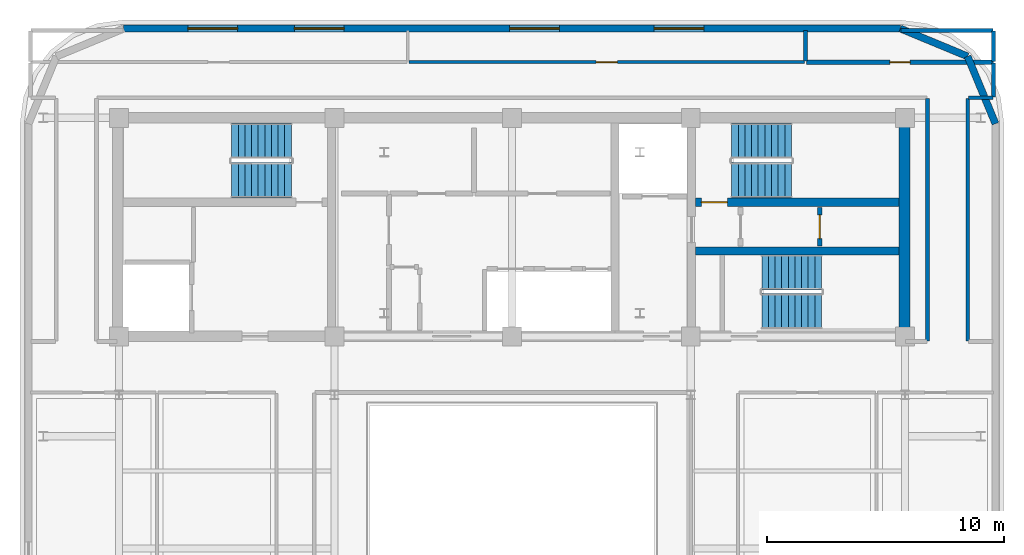
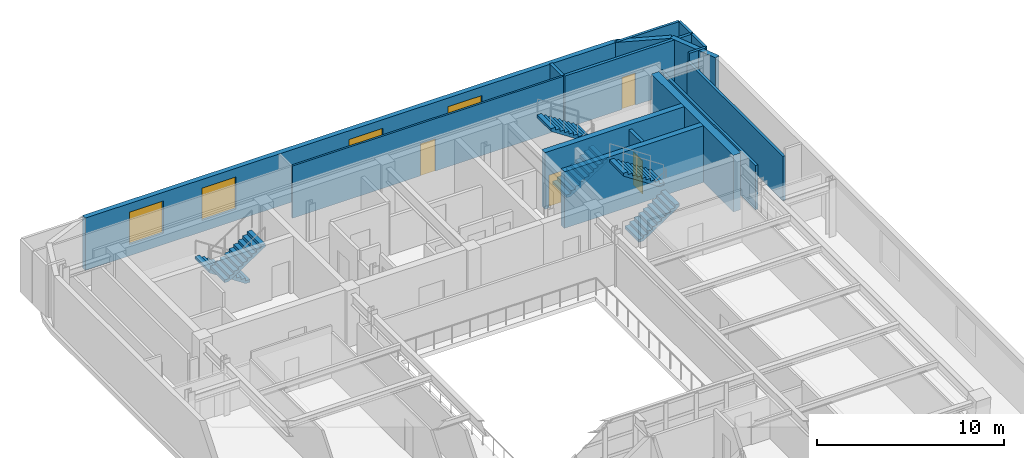
# One storey, part 8 of 11: 16 walls, 6 stair flights, 4 doors, 4 windows, 8 openings, 3 elements without a shape of their own.
"""IFC4 building model written with IfcOpenShell, lengths in metres."""

from ifc_helpers import new_model, si_unit, direction, frame, frame_2d, origin, place, context, subcontext, project, spatial, polyline, rectangle, outline, extrude, material, layer, layer_set, type_object, element, fill, aggregate, save


model = new_model("IFC4")

# Units and contexts
model_context = context("Model", 3, precision=1e-05, world=origin(), true_north=direction((0.0, 1.0)))
body_context = subcontext(model_context, "Body", "Model", "MODEL_VIEW")
ifc_project = project(units=[si_unit("LENGTHUNIT", "METRE"), si_unit("AREAUNIT", "SQUARE_METRE"), si_unit("VOLUMEUNIT", "CUBIC_METRE"), si_unit("PLANEANGLEUNIT", "RADIAN"), si_unit("MASSUNIT", "GRAM", prefix="KILO")], contexts=[model_context])

# Site, building, storey
site_placement = place(None, origin())
site = spatial("IfcSite", under=ifc_project, at=site_placement, CompositionType="ELEMENT")
building_placement = place(site_placement, origin())
building = spatial("IfcBuilding", under=site, at=building_placement, Name="Zarnavel Station Tower", CompositionType="ELEMENT")
storey_placement = place(building_placement, frame((0.0, 0.0, 262.10009765625)))
storey = spatial("IfcBuildingStorey", under=building, at=storey_placement, Name="L71", CompositionType="ELEMENT", Elevation=262.10009765625)

# Wall, opening, door
ifc_material_1 = material(Name="Concrete C50/60", Category="concrete")
ifc_layer_1 = layer(ifc_material_1, 0.35009765625)
ifc_layer_set_1 = layer_set([ifc_layer_1], Name="CW_350")
wall_type_1 = type_object("IfcWallType", Name="CW_350", PredefinedType="SHEAR", material=ifc_layer_set_1)
wall_1_placement = place(storey_placement, frame((45.155029296875, 33.47998046875, 0.0), z_axis=(0.0, 0.0, 1.0), x_axis=(-1.0, 0.0, 0.0)))
wall_1 = element("IfcWall", 1, at=wall_1_placement, inside=storey, type_object=wall_type_1, Name="L71 Rear Core Shear Wall DIV-H2", PredefinedType="SHEAR", context=body_context, shape_type="SweptSolid", body=[
    extrude(rectangle(XDim=8.60009765625, YDim=0.35009765625, at=frame_2d((4.300048828125, 0.0))), origin(), (0.0, 0.0, 1.0), 3.699951171875),
])
opening_1_placement = place(wall_1_placement, frame((7.2548828125, 0.0, 0.0)))
opening_1 = element("IfcOpeningElement", 2, at=opening_1_placement, cuts=wall_1, Name="Opening FD01", PredefinedType="OPENING", context=body_context, shape_type="SweptSolid", body=[
    extrude(rectangle(XDim=1.10009765625, YDim=2.14990234375, at=frame_2d((0.550048828125, 1.074951171875))), frame((0.0, 0.18505859375, 0.0), z_axis=(0.0, -1.0, 0.0), x_axis=(1.0, 0.0, 0.0)), (0.0, 0.0, 1.0), 0.3701171875),
])
ifc_material_2 = material(Name="Painted Galvanised Steel and Hardwood Leaf", Category="steel")
door_type_1 = type_object("IfcDoorType", Name="ID_STAIR_1100", OperationType="NOTDEFINED", PredefinedType="DOOR", material=ifc_material_2)
door_1_placement = place(opening_1_placement, origin())
door_1 = element("IfcDoor", 3, at=door_1_placement, inside=storey, type_object=door_type_1, Name="L71 Stair ST2 Lobby Fire Door", OperationType="SINGLE_SWING_RIGHT", OverallHeight=2.14990234375, OverallWidth=1.10009765625, PredefinedType="DOOR", context=body_context, shape_type="SweptSolid", body=[
    extrude(rectangle(XDim=1.10009765625, YDim=2.14990234375, at=frame_2d((0.550048828125, 1.074951171875))), frame((0.0, 0.02490234375, 0.0), z_axis=(0.0, -1.0, 0.0), x_axis=(1.0, 0.0, 0.0)), (0.0, 0.0, 1.0), 0.050048828125),
])
fill(opening_1, door_1)

# Walls
wall_2_placement = place(storey_placement, frame((36.554931640625, 31.419921875, 0.0), z_axis=(0.0, 0.0, 1.0), x_axis=(1.0, 0.0, 0.0)))
element("IfcWall", 4, at=wall_2_placement, inside=storey, type_object=wall_type_1, Name="L71 Rear Core Shear Wall DIV-H3", PredefinedType="SHEAR", context=body_context, shape_type="SweptSolid", body=[
    extrude(rectangle(XDim=8.60009765625, YDim=0.35009765625, at=frame_2d((4.300048828125, 0.0))), origin(), (0.0, 0.0, 1.0), 3.699951171875),
])
ifc_material_3 = material(Name="Concrete C50/60", Category="concrete")
ifc_layer_2 = layer(ifc_material_3, 0.449951171875)
ifc_layer_set_2 = layer_set([ifc_layer_2], Name="CW_450")
wall_type_2 = type_object("IfcWallType", Name="CW_450", PredefinedType="SHEAR", material=ifc_layer_set_2)
wall_3_placement = place(storey_placement, frame((45.3798828125, 28.044921875, 0.0), z_axis=(0.0, 0.0, 1.0), x_axis=(0.0, 1.0, 0.0)))
element("IfcWall", 5, at=wall_3_placement, inside=storey, type_object=wall_type_2, Name="L71 Rear Core Shear Wall E", PredefinedType="SHEAR", context=body_context, shape_type="SweptSolid", body=[
    extrude(rectangle(XDim=8.780029296875, YDim=0.449951171875, at=frame_2d((4.39013671875, 0.0))), origin(), (0.0, 0.0, 1.0), 3.699951171875),
])
ifc_material_4 = material(Name="Precast concrete C45/55 (Dark Basalt Finish)", Category="masonry")
ifc_layer_3 = layer(ifc_material_4, 0.300048828125)
ifc_layer_set_3 = layer_set([ifc_layer_3], Name="EW_BASALT_300")
wall_type_3 = type_object("IfcWallType", Name="EW_BASALT_300", PredefinedType="SOLIDWALL", material=ifc_layer_set_3)
for number, where, z_axis, x_axis, name in (
    (6, (48.04248046875, 39.642578125, 0.0), (0.0, 0.0, 1.0), (0.382704529509, -0.923870793506, 0.0), "L71 Exterior Basalt Masonry Frame Wall 04"),
    (7, (45.199951171875, 40.820068359375, 0.0), (0.0, 0.0, 1.0), (0.923870793506, -0.382704529509, 0.0), "L71 Exterior Basalt Masonry Frame Wall 05"),
):
    element("IfcWall", number, at=place(storey_placement, frame(where, z_axis=z_axis, x_axis=x_axis)), inside=storey, type_object=wall_type_3, Name=name, PredefinedType="SOLIDWALL", context=body_context, shape_type="SweptSolid", body=[
        extrude(rectangle(XDim=3.07666015625, YDim=0.300048828125, at=frame_2d((1.538330078125, 0.0))), origin(), (0.0, 0.0, 1.0), 3.419921875),
    ])

# Wall, openings, windows
wall_4_placement = place(storey_placement, frame((12.39990234375, 40.820068359375, 0.0), z_axis=(0.0, 0.0, 1.0), x_axis=(1.0, 0.0, 0.0)))
wall_4 = element("IfcWall", 8, at=wall_4_placement, inside=storey, type_object=wall_type_3, Name="L71 Exterior Basalt Masonry Frame Wall 06", PredefinedType="SOLIDWALL", context=body_context, shape_type="SweptSolid", body=[
    extrude(rectangle(XDim=32.800048828125, YDim=0.300048828125, at=frame_2d((16.39990234375, 0.0))), origin(), (0.0, 0.0, 1.0), 3.419921875),
])
opening_2_placement = place(wall_4_placement, frame((2.71337890625, 0.0, 0.75)))
opening_2 = element("IfcOpeningElement", 9, at=opening_2_placement, cuts=wall_4, Name="Opening WN05", PredefinedType="OPENING", context=body_context, shape_type="SweptSolid", body=[
    extrude(rectangle(XDim=2.10009765625, YDim=2.10009765625, at=frame_2d((1.050048828125, 1.050048828125))), frame((0.0, 0.159912109375, 0.0), z_axis=(0.0, -1.0, 0.0), x_axis=(1.0, 0.0, 0.0)), (0.0, 0.0, 1.0), 0.320068359375),
])
opening_3_placement = place(wall_4_placement, frame((7.206787109375, 0.0, 0.75)))
opening_3 = element("IfcOpeningElement", 10, at=opening_3_placement, cuts=wall_4, Name="Opening WN05", PredefinedType="OPENING", context=body_context, shape_type="SweptSolid", body=[
    extrude(rectangle(XDim=2.10009765625, YDim=2.10009765625, at=frame_2d((1.050048828125, 1.050048828125))), frame((0.0, 0.159912109375, 0.0), z_axis=(0.0, -1.0, 0.0), x_axis=(1.0, 0.0, 0.0)), (0.0, 0.0, 1.0), 0.320068359375),
])
opening_4_placement = place(wall_4_placement, frame((16.300048828125, 0.0, 0.75)))
opening_4 = element("IfcOpeningElement", 11, at=opening_4_placement, cuts=wall_4, Name="Opening WN05", PredefinedType="OPENING", context=body_context, shape_type="SweptSolid", body=[
    extrude(rectangle(XDim=2.10009765625, YDim=2.10009765625, at=frame_2d((1.050048828125, 1.050048828125))), frame((0.0, 0.159912109375, 0.0), z_axis=(0.0, -1.0, 0.0), x_axis=(1.0, 0.0, 0.0)), (0.0, 0.0, 1.0), 0.320068359375),
])
opening_5_placement = place(wall_4_placement, frame((22.39990234375, 0.0, 0.75)))
opening_5 = element("IfcOpeningElement", 12, at=opening_5_placement, cuts=wall_4, Name="Opening WN05", PredefinedType="OPENING", context=body_context, shape_type="SweptSolid", body=[
    extrude(rectangle(XDim=2.10009765625, YDim=2.10009765625, at=frame_2d((1.050048828125, 1.050048828125))), frame((0.0, 0.159912109375, 0.0), z_axis=(0.0, -1.0, 0.0), x_axis=(1.0, 0.0, 0.0)), (0.0, 0.0, 1.0), 0.320068359375),
])
ifc_material_5 = material(Name="Thermally Broken Black Aluminium and Low-E Dark Glass", Category="aluminium")
window_type = type_object("IfcWindowType", Name="WN_2100x2100", PartitioningType="TRIPLE_PANEL_VERTICAL", PredefinedType="WINDOW", material=ifc_material_5)
window_1_placement = place(opening_2_placement, origin())
window_1 = element("IfcWindow", 13, at=window_1_placement, inside=storey, type_object=window_type, Name="L71 Recessed Facade Window 01", OverallHeight=2.10009765625, OverallWidth=2.10009765625, PartitioningType="SINGLE_PANEL", PredefinedType="WINDOW", context=body_context, shape_type="SweptSolid", body=[
    extrude(rectangle(XDim=2.10009765625, YDim=2.10009765625, at=frame_2d((1.050048828125, 1.050048828125))), frame((0.0, 0.030029296875, 0.0), z_axis=(0.0, -1.0, 0.0), x_axis=(1.0, 0.0, 0.0)), (0.0, 0.0, 1.0), 0.06005859375),
])
fill(opening_2, window_1)
window_2_placement = place(opening_3_placement, origin())
window_2 = element("IfcWindow", 14, at=window_2_placement, inside=storey, type_object=window_type, Name="L71 Recessed Facade Window 02", OverallHeight=2.10009765625, OverallWidth=2.10009765625, PartitioningType="SINGLE_PANEL", PredefinedType="WINDOW", context=body_context, shape_type="SweptSolid", body=[
    extrude(rectangle(XDim=2.10009765625, YDim=2.10009765625, at=frame_2d((1.050048828125, 1.050048828125))), frame((0.0, 0.030029296875, 0.0), z_axis=(0.0, -1.0, 0.0), x_axis=(1.0, 0.0, 0.0)), (0.0, 0.0, 1.0), 0.06005859375),
])
fill(opening_3, window_2)
window_3_placement = place(opening_4_placement, origin())
window_3 = element("IfcWindow", 15, at=window_3_placement, inside=storey, type_object=window_type, Name="L71 Recessed Facade Window 03", OverallHeight=2.10009765625, OverallWidth=2.10009765625, PartitioningType="SINGLE_PANEL", PredefinedType="WINDOW", context=body_context, shape_type="SweptSolid", body=[
    extrude(rectangle(XDim=2.10009765625, YDim=2.10009765625, at=frame_2d((1.050048828125, 1.050048828125))), frame((0.0, 0.030029296875, 0.0), z_axis=(0.0, -1.0, 0.0), x_axis=(1.0, 0.0, 0.0)), (0.0, 0.0, 1.0), 0.06005859375),
])
fill(opening_4, window_3)
window_4_placement = place(opening_5_placement, origin())
window_4 = element("IfcWindow", 16, at=window_4_placement, inside=storey, type_object=window_type, Name="L71 Recessed Facade Window 04", OverallHeight=2.10009765625, OverallWidth=2.10009765625, PartitioningType="SINGLE_PANEL", PredefinedType="WINDOW", context=body_context, shape_type="SweptSolid", body=[
    extrude(rectangle(XDim=2.10009765625, YDim=2.10009765625, at=frame_2d((1.050048828125, 1.050048828125))), frame((0.0, 0.030029296875, 0.0), z_axis=(0.0, -1.0, 0.0), x_axis=(1.0, 0.0, 0.0)), (0.0, 0.0, 1.0), 0.06005859375),
])
fill(opening_5, window_4)

# Walls
ifc_material_6 = material(Name="Gypsum Twin-Stud Acoustic Fire Partition", Category="concrete")
ifc_layer_4 = layer(ifc_material_6, 0.159912109375)
ifc_layer_set_4 = layer_set([ifc_layer_4], Name="PT_DEMISE_160")
wall_type_4 = type_object("IfcWallType", Name="PT_DEMISE_160", PredefinedType="PARTITIONING", material=ifc_layer_set_4)
for number, where, z_axis, x_axis, name in (
    (17, (46.35009765625, 27.6298828125, 0.0), (0.0, 0.0, 1.0), (0.0, 1.0, 0.0), "L71 Enclosure Wall COR-E"),
    (18, (48.050048828125, 27.6298828125, 0.0), (0.0, 0.0, 1.0), (0.0, 1.0, 0.0), "L71 Enclosure Wall COR-E"),
):
    element("IfcWall", number, at=place(storey_placement, frame(where, z_axis=z_axis, x_axis=x_axis)), inside=storey, type_object=wall_type_4, Name=name, PredefinedType="PARTITIONING", context=body_context, shape_type="SweptSolid", body=[
        extrude(rectangle(XDim=10.240234375, YDim=0.159912109375, at=frame_2d((5.1201171875, 0.0))), origin(), (0.0, 0.0, 1.0), 2.89990234375),
    ])
wall_5_placement = place(storey_placement, frame((48.080078125, 37.89990234375, 0.0), z_axis=(0.0, 0.0, 1.0), x_axis=(1.0, 0.0, 0.0)))
element("IfcWall", 19, at=wall_5_placement, inside=storey, type_object=wall_type_4, Name="L71 Enclosure Wall COR-N", PredefinedType="PARTITIONING", context=body_context, shape_type="SweptSolid", body=[
    extrude(rectangle(XDim=1.030029296875, YDim=0.159912109375, at=frame_2d((0.51513671875, 0.0))), origin(), (0.0, 0.0, 1.0), 3.419921875),
])
wall_6_placement = place(storey_placement, frame((49.139892578125, 37.929931640625, 0.0), z_axis=(0.0, 0.0, 1.0), x_axis=(0.0, 1.0, 0.0)))
element("IfcWall", 20, at=wall_6_placement, inside=storey, type_object=wall_type_4, Name="L71 Enclosure Wall COR-N", PredefinedType="PARTITIONING", context=body_context, shape_type="SweptSolid", body=[
    extrude(rectangle(XDim=1.440185546875, YDim=0.159912109375, at=frame_2d((0.72021484375, 0.0))), origin(), (0.0, 0.0, 1.0), 3.419921875),
])
wall_7_placement = place(storey_placement, frame((45.22998046875, 40.739990234375, 0.0), z_axis=(0.0, 0.0, 1.0), x_axis=(1.0, 0.0, 0.0)))
element("IfcWall", 21, at=wall_7_placement, inside=storey, type_object=wall_type_4, Name="L71 Enclosure Wall NWC", PredefinedType="PARTITIONING", context=body_context, shape_type="SweptSolid", body=[
    extrude(rectangle(XDim=3.880126953125, YDim=0.159912109375, at=frame_2d((1.93994140625, 0.0))), origin(), (0.0, 0.0, 1.0), 3.419921875),
])
wall_8_placement = place(storey_placement, frame((49.139892578125, 39.429931640625, 0.0), z_axis=(0.0, 0.0, 1.0), x_axis=(0.0, 1.0, 0.0)))
element("IfcWall", 22, at=wall_8_placement, inside=storey, type_object=wall_type_4, Name="L71 Enclosure Wall NWC", PredefinedType="PARTITIONING", context=body_context, shape_type="SweptSolid", body=[
    extrude(rectangle(XDim=1.280029296875, YDim=0.159912109375, at=frame_2d((0.64013671875, 0.0))), origin(), (0.0, 0.0, 1.0), 3.419921875),
])

# Wall, opening, door
ifc_material_7 = material(Name="Gypsum Metal-Stud Interior Partition", Category="concrete")
ifc_layer_5 = layer(ifc_material_7, 0.1201171875)
ifc_layer_set_5 = layer_set([ifc_layer_5], Name="PT_ROOM_120")
wall_type_5 = type_object("IfcWallType", Name="PT_ROOM_120", PredefinedType="PARTITIONING", material=ifc_layer_set_5)
wall_9_placement = place(storey_placement, frame((24.43994140625, 39.39990234375, 0.0), z_axis=(0.0, 0.0, 1.0), x_axis=(1.0, 0.0, 0.0)))
wall_9 = element("IfcWall", 23, at=wall_9_placement, inside=storey, type_object=wall_type_5, Name="L71 Partition COR-N-NSPA", PredefinedType="PARTITIONING", context=body_context, shape_type="SweptSolid", body=[
    extrude(rectangle(XDim=16.719970703125, YDim=0.1201171875, at=frame_2d((8.35986328125, 0.0))), origin(), (0.0, 0.0, 1.0), 3.419921875),
])
opening_6_placement = place(wall_9_placement, frame((7.909912109375, 0.0, 0.0)))
opening_6 = element("IfcOpeningElement", 24, at=opening_6_placement, cuts=wall_9, Name="Opening ID01", PredefinedType="OPENING", context=body_context, shape_type="SweptSolid", body=[
    extrude(rectangle(XDim=0.89990234375, YDim=2.10009765625, at=frame_2d((0.449951171875, 1.050048828125))), frame((0.0, 0.070068359375, 0.0), z_axis=(0.0, -1.0, 0.0), x_axis=(1.0, 0.0, 0.0)), (0.0, 0.0, 1.0), 0.14013671875),
])
ifc_material_8 = material(Name="Painted Galvanised Steel and Hardwood Leaf", Category="steel")
door_type_2 = type_object("IfcDoorType", Name="ID_ROOM_900", OperationType="NOTDEFINED", PredefinedType="DOOR", material=ifc_material_8)
door_2_placement = place(opening_6_placement, origin())
door_2 = element("IfcDoor", 25, at=door_2_placement, inside=storey, type_object=door_type_2, Name="L71 Door COR-N-NSPA", OperationType="SINGLE_SWING_RIGHT", OverallHeight=2.10009765625, OverallWidth=0.89990234375, PredefinedType="DOOR", context=body_context, shape_type="SweptSolid", body=[
    extrude(rectangle(XDim=0.89990234375, YDim=2.10009765625, at=frame_2d((0.449951171875, 1.050048828125))), frame((0.0, 0.02490234375, 0.0), z_axis=(0.0, -1.0, 0.0), x_axis=(1.0, 0.0, 0.0)), (0.0, 0.0, 1.0), 0.050048828125),
])
fill(opening_6, door_2)

ifc_material_9 = material(Name="Precast concrete C45/55 (Fire Shaft Blockwork)", Category="masonry")
ifc_layer_6 = layer(ifc_material_9, 0.199951171875)
ifc_layer_set_6 = layer_set([ifc_layer_6], Name="PT_SHAFT_200")
wall_type_6 = type_object("IfcWallType", Name="PT_SHAFT_200", PredefinedType="PARTITIONING", material=ifc_layer_set_6)
wall_10_placement = place(storey_placement, frame((41.800048828125, 31.639892578125, 0.0), z_axis=(0.0, 0.0, 1.0), x_axis=(0.0, 1.0, 0.0)))
wall_10 = element("IfcWall", 26, at=wall_10_placement, inside=storey, type_object=wall_type_6, Name="L71 Partition CEA-CEB", PredefinedType="PARTITIONING", context=body_context, shape_type="SweptSolid", body=[
    extrude(rectangle(XDim=1.6201171875, YDim=0.199951171875, at=frame_2d((0.81005859375, 0.0))), origin(), (0.0, 0.0, 1.0), 3.419921875),
])
opening_7_placement = place(wall_10_placement, frame((0.31005859375, 0.0, 0.0)))
opening_7 = element("IfcOpeningElement", 27, at=opening_7_placement, cuts=wall_10, Name="Opening FD02", PredefinedType="OPENING", context=body_context, shape_type="SweptSolid", body=[
    extrude(rectangle(XDim=1.0, YDim=2.14990234375, at=frame_2d((0.5, 1.074951171875))), frame((0.0, 0.10986328125, 0.0), z_axis=(0.0, -1.0, 0.0), x_axis=(1.0, 0.0, 0.0)), (0.0, 0.0, 1.0), 0.219970703125),
])
ifc_material_10 = material(Name="Painted Galvanised Steel and Hardwood Leaf", Category="steel")
door_type_3 = type_object("IfcDoorType", Name="ID_ENTRY_1000", OperationType="NOTDEFINED", PredefinedType="DOOR", material=ifc_material_10)
door_3_placement = place(opening_7_placement, origin())
door_3 = element("IfcDoor", 28, at=door_3_placement, inside=storey, type_object=door_type_3, Name="L71 Door CEA-CEB", OperationType="SINGLE_SWING_LEFT", OverallHeight=2.14990234375, OverallWidth=1.0, PredefinedType="DOOR", context=body_context, shape_type="SweptSolid", body=[
    extrude(rectangle(XDim=1.0, YDim=2.14990234375, at=frame_2d((0.5, 1.074951171875))), frame((0.0, 0.02490234375, 0.0), z_axis=(0.0, -1.0, 0.0), x_axis=(1.0, 0.0, 0.0)), (0.0, 0.0, 1.0), 0.050048828125),
])
fill(opening_7, door_3)

ifc_material_11 = material(Name="Moisture-Resistant Plumbing Chase Wall", Category="concrete")
ifc_layer_7 = layer(ifc_material_11, 0.179931640625)
ifc_layer_set_7 = layer_set([ifc_layer_7], Name="PW_PLUMB_180")
wall_type_7 = type_object("IfcWallType", Name="PW_PLUMB_180", PredefinedType="PLUMBINGWALL", material=ifc_layer_set_7)
wall_11_placement = place(storey_placement, frame((41.239990234375, 39.39990234375, 0.0), z_axis=(0.0, 0.0, 1.0), x_axis=(1.0, 0.0, 0.0)))
wall_11 = element("IfcWall", 29, at=wall_11_placement, inside=storey, type_object=wall_type_7, Name="L71 Partition COR-N-NWC", PredefinedType="PLUMBINGWALL", context=body_context, shape_type="SweptSolid", body=[
    extrude(rectangle(XDim=7.89990234375, YDim=0.179931640625, at=frame_2d((3.949951171875, 0.0))), origin(), (0.0, 0.0, 1.0), 3.419921875),
])
opening_8_placement = place(wall_11_placement, frame((3.52490234375, 0.0, 0.0)))
opening_8 = element("IfcOpeningElement", 30, at=opening_8_placement, cuts=wall_11, Name="Opening ID02", PredefinedType="OPENING", context=body_context, shape_type="SweptSolid", body=[
    extrude(rectangle(XDim=0.85009765625, YDim=2.10009765625, at=frame_2d((0.425048828125, 1.050048828125))), frame((0.0, 0.099853515625, 0.0), z_axis=(0.0, -1.0, 0.0), x_axis=(1.0, 0.0, 0.0)), (0.0, 0.0, 1.0), 0.199951171875),
])
ifc_material_12 = material(Name="Painted Galvanised Steel and Hardwood Leaf", Category="steel")
door_type_4 = type_object("IfcDoorType", Name="ID_BATH_850", OperationType="NOTDEFINED", PredefinedType="DOOR", material=ifc_material_12)
door_4_placement = place(opening_8_placement, origin())
door_4 = element("IfcDoor", 31, at=door_4_placement, inside=storey, type_object=door_type_4, Name="L71 Door COR-N-NWC", OperationType="SINGLE_SWING_LEFT", OverallHeight=2.10009765625, OverallWidth=0.85009765625, PredefinedType="DOOR", context=body_context, shape_type="SweptSolid", body=[
    extrude(rectangle(XDim=0.85009765625, YDim=2.10009765625, at=frame_2d((0.425048828125, 1.050048828125))), frame((0.0, 0.02490234375, 0.0), z_axis=(0.0, -1.0, 0.0), x_axis=(1.0, 0.0, 0.0)), (0.0, 0.0, 1.0), 0.050048828125),
])
fill(opening_8, door_4)

# Wall
wall_12_placement = place(storey_placement, frame((41.199951171875, 39.43994140625, 0.0), z_axis=(0.0, 0.0, 1.0), x_axis=(0.0, 1.0, 0.0)))
element("IfcWall", 32, at=wall_12_placement, inside=storey, type_object=wall_type_7, Name="L71 Partition NSPA-NWC", PredefinedType="PLUMBINGWALL", context=body_context, shape_type="SweptSolid", body=[
    extrude(rectangle(XDim=1.300048828125, YDim=0.179931640625, at=frame_2d((0.64990234375, 0.0))), origin(), (0.0, 0.0, 1.0), 3.419921875),
])

# Stair, stair flights
ifc_material_13 = material(Name="Concrete C45/55", Category="concrete")
stair_type = type_object("IfcStairType", Name="ST_CORE_150", PredefinedType="HALF_TURN_STAIR", material=ifc_material_13)
stair_1_placement = place(storey_placement, origin())
stair_1 = element("IfcStair", 33, at=stair_1_placement, inside=storey, type_object=stair_type, Name="L71 Core Exit Stair ST1", PredefinedType="HALF_TURN_STAIR")
ifc_material_14 = material(Name="Concrete C45/55", Category="concrete")
ifc_layer_8 = layer(ifc_material_14, 0.179931640625)
ifc_layer_set_8 = layer_set([ifc_layer_8], Name="ST_CORE_150_FLT")
stair_flight_type = type_object("IfcStairFlightType", Name="ST_CORE_150_FLT", PredefinedType="STRAIGHT", material=ifc_layer_set_8)
stair_flight_1_placement = place(storey_placement, frame((19.47998046875, 36.070068359375, 0.0), z_axis=(0.0, 0.0, 1.0), x_axis=(-1.0, 0.0, 0.0)))
stair_flight_1 = element("IfcStairFlight", 34, at=stair_flight_1_placement, type_object=stair_flight_type, Name="ST1 flight 1", NumberOfRisers=10, NumberOfTreads=9, PredefinedType="STRAIGHT", RiserHeight=0.185, TreadLength=0.28, context=body_context, shape_type="SweptSolid", body=[
    extrude(outline(polyline([(0.0, 0.0), (0.0, 0.18505859375), (0.280029296875, 0.18505859375), (0.280029296875, 0.3701171875), (0.56005859375, 0.3701171875), (0.56005859375, 0.554931640625), (0.840087890625, 0.554931640625), (0.840087890625, 0.739990234375), (1.1201171875, 0.739990234375), (1.1201171875, 0.925048828125), (1.39990234375, 0.925048828125), (1.39990234375, 1.110107421875), (1.679931640625, 1.110107421875), (1.679931640625, 1.294921875), (1.9599609375, 1.294921875), (1.9599609375, 1.47998046875), (2.239990234375, 1.47998046875), (2.239990234375, 1.6650390625), (2.52001953125, 1.6650390625), (2.52001953125, 1.85009765625), (2.52001953125, 1.4853515625), (0.27197265625, 0.0), (0.0, 0.0)])), frame((0.0, 0.75, 0.0), z_axis=(0.0, -1.0, 0.0), x_axis=(1.0, 0.0, 0.0)), (0.0, 0.0, 1.0), 1.5),
])
stair_flight_2_placement = place(storey_placement, frame((16.9599609375, 34.409912109375, 1.849853515625), z_axis=(0.0, 0.0, 1.0), x_axis=(1.0, 0.0, 0.0)))
stair_flight_2 = element("IfcStairFlight", 35, at=stair_flight_2_placement, type_object=stair_flight_type, Name="ST1 flight 2", NumberOfRisers=10, NumberOfTreads=9, PredefinedType="STRAIGHT", RiserHeight=0.185, TreadLength=0.28, context=body_context, shape_type="SweptSolid", body=[
    extrude(outline(polyline([(0.0, 0.0), (0.0, 0.18505859375), (0.280029296875, 0.18505859375), (0.280029296875, 0.3701171875), (0.56005859375, 0.3701171875), (0.56005859375, 0.554931640625), (0.840087890625, 0.554931640625), (0.840087890625, 0.739990234375), (1.1201171875, 0.739990234375), (1.1201171875, 0.925048828125), (1.39990234375, 0.925048828125), (1.39990234375, 1.110107421875), (1.679931640625, 1.110107421875), (1.679931640625, 1.294921875), (1.9599609375, 1.294921875), (1.9599609375, 1.47998046875), (2.239990234375, 1.47998046875), (2.239990234375, 1.6650390625), (2.52001953125, 1.6650390625), (2.52001953125, 1.85009765625), (2.52001953125, 1.4853515625), (0.27197265625, 0.0), (0.0, 0.0)])), frame((0.0, 0.75, 0.0), z_axis=(0.0, -1.0, 0.0), x_axis=(1.0, 0.0, 0.0)), (0.0, 0.0, 1.0), 1.5),
])
aggregate(stair_1, [stair_flight_1, stair_flight_2])

stair_2_placement = place(storey_placement, origin())
stair_2 = element("IfcStair", 36, at=stair_2_placement, inside=storey, type_object=stair_type, Name="L71 Core Exit Stair ST2", PredefinedType="HALF_TURN_STAIR")
stair_flight_3_placement = place(storey_placement, frame((38.080078125, 34.409912109375, 0.0), z_axis=(0.0, 0.0, 1.0), x_axis=(1.0, 0.0, 0.0)))
stair_flight_3 = element("IfcStairFlight", 37, at=stair_flight_3_placement, type_object=stair_flight_type, Name="ST2 flight 1", NumberOfRisers=10, NumberOfTreads=9, PredefinedType="STRAIGHT", RiserHeight=0.185, TreadLength=0.28, context=body_context, shape_type="SweptSolid", body=[
    extrude(outline(polyline([(0.0, 0.0), (0.0, 0.18505859375), (0.280029296875, 0.18505859375), (0.280029296875, 0.3701171875), (0.56005859375, 0.3701171875), (0.56005859375, 0.554931640625), (0.840087890625, 0.554931640625), (0.840087890625, 0.739990234375), (1.1201171875, 0.739990234375), (1.1201171875, 0.925048828125), (1.39990234375, 0.925048828125), (1.39990234375, 1.110107421875), (1.679931640625, 1.110107421875), (1.679931640625, 1.294921875), (1.9599609375, 1.294921875), (1.9599609375, 1.47998046875), (2.239990234375, 1.47998046875), (2.239990234375, 1.6650390625), (2.52001953125, 1.6650390625), (2.52001953125, 1.85009765625), (2.52001953125, 1.4853515625), (0.27197265625, 0.0), (0.0, 0.0)])), frame((0.0, 0.75, 0.0), z_axis=(0.0, -1.0, 0.0), x_axis=(1.0, 0.0, 0.0)), (0.0, 0.0, 1.0), 1.5),
])
stair_flight_4_placement = place(storey_placement, frame((40.60009765625, 36.070068359375, 1.849853515625), z_axis=(0.0, 0.0, 1.0), x_axis=(-1.0, 0.0, 0.0)))
stair_flight_4 = element("IfcStairFlight", 38, at=stair_flight_4_placement, type_object=stair_flight_type, Name="ST2 flight 2", NumberOfRisers=10, NumberOfTreads=9, PredefinedType="STRAIGHT", RiserHeight=0.185, TreadLength=0.28, context=body_context, shape_type="SweptSolid", body=[
    extrude(outline(polyline([(0.0, 0.0), (0.0, 0.18505859375), (0.280029296875, 0.18505859375), (0.280029296875, 0.3701171875), (0.56005859375, 0.3701171875), (0.56005859375, 0.554931640625), (0.840087890625, 0.554931640625), (0.840087890625, 0.739990234375), (1.1201171875, 0.739990234375), (1.1201171875, 0.925048828125), (1.39990234375, 0.925048828125), (1.39990234375, 1.110107421875), (1.679931640625, 1.110107421875), (1.679931640625, 1.294921875), (1.9599609375, 1.294921875), (1.9599609375, 1.47998046875), (2.239990234375, 1.47998046875), (2.239990234375, 1.6650390625), (2.52001953125, 1.6650390625), (2.52001953125, 1.85009765625), (2.52001953125, 1.4853515625), (0.27197265625, 0.0), (0.0, 0.0)])), frame((0.0, 0.75, 0.0), z_axis=(0.0, -1.0, 0.0), x_axis=(1.0, 0.0, 0.0)), (0.0, 0.0, 1.0), 1.5),
])
aggregate(stair_2, [stair_flight_3, stair_flight_4])

stair_3_placement = place(storey_placement, origin())
stair_3 = element("IfcStair", 39, at=stair_3_placement, inside=storey, type_object=stair_type, Name="L71 Core Exit Stair ST3", PredefinedType="HALF_TURN_STAIR")
stair_flight_5_placement = place(storey_placement, frame((39.35009765625, 28.8701171875, 0.0), z_axis=(0.0, 0.0, 1.0), x_axis=(1.0, 0.0, 0.0)))
stair_flight_5 = element("IfcStairFlight", 40, at=stair_flight_5_placement, type_object=stair_flight_type, Name="ST3 flight 1", NumberOfRisers=10, NumberOfTreads=9, PredefinedType="STRAIGHT", RiserHeight=0.185, TreadLength=0.28, context=body_context, shape_type="SweptSolid", body=[
    extrude(outline(polyline([(0.0, 0.0), (0.0, 0.18505859375), (0.280029296875, 0.18505859375), (0.280029296875, 0.3701171875), (0.56005859375, 0.3701171875), (0.56005859375, 0.554931640625), (0.840087890625, 0.554931640625), (0.840087890625, 0.739990234375), (1.1201171875, 0.739990234375), (1.1201171875, 0.925048828125), (1.39990234375, 0.925048828125), (1.39990234375, 1.110107421875), (1.679931640625, 1.110107421875), (1.679931640625, 1.294921875), (1.9599609375, 1.294921875), (1.9599609375, 1.47998046875), (2.239990234375, 1.47998046875), (2.239990234375, 1.6650390625), (2.52001953125, 1.6650390625), (2.52001953125, 1.85009765625), (2.52001953125, 1.4853515625), (0.27197265625, 0.0), (0.0, 0.0)])), frame((0.0, 0.75, 0.0), z_axis=(0.0, -1.0, 0.0), x_axis=(1.0, 0.0, 0.0)), (0.0, 0.0, 1.0), 1.5),
])
stair_flight_6_placement = place(storey_placement, frame((41.8701171875, 30.530029296875, 1.849853515625), z_axis=(0.0, 0.0, 1.0), x_axis=(-1.0, 0.0, 0.0)))
stair_flight_6 = element("IfcStairFlight", 41, at=stair_flight_6_placement, type_object=stair_flight_type, Name="ST3 flight 2", NumberOfRisers=10, NumberOfTreads=9, PredefinedType="STRAIGHT", RiserHeight=0.185, TreadLength=0.28, context=body_context, shape_type="SweptSolid", body=[
    extrude(outline(polyline([(0.0, 0.0), (0.0, 0.18505859375), (0.280029296875, 0.18505859375), (0.280029296875, 0.3701171875), (0.56005859375, 0.3701171875), (0.56005859375, 0.554931640625), (0.840087890625, 0.554931640625), (0.840087890625, 0.739990234375), (1.1201171875, 0.739990234375), (1.1201171875, 0.925048828125), (1.39990234375, 0.925048828125), (1.39990234375, 1.110107421875), (1.679931640625, 1.110107421875), (1.679931640625, 1.294921875), (1.9599609375, 1.294921875), (1.9599609375, 1.47998046875), (2.239990234375, 1.47998046875), (2.239990234375, 1.6650390625), (2.52001953125, 1.6650390625), (2.52001953125, 1.85009765625), (2.52001953125, 1.4853515625), (0.27197265625, 0.0), (0.0, 0.0)])), frame((0.0, 0.75, 0.0), z_axis=(0.0, -1.0, 0.0), x_axis=(1.0, 0.0, 0.0)), (0.0, 0.0, 1.0), 1.5),
])
aggregate(stair_3, [stair_flight_5, stair_flight_6])

save(model, "model.ifc")
